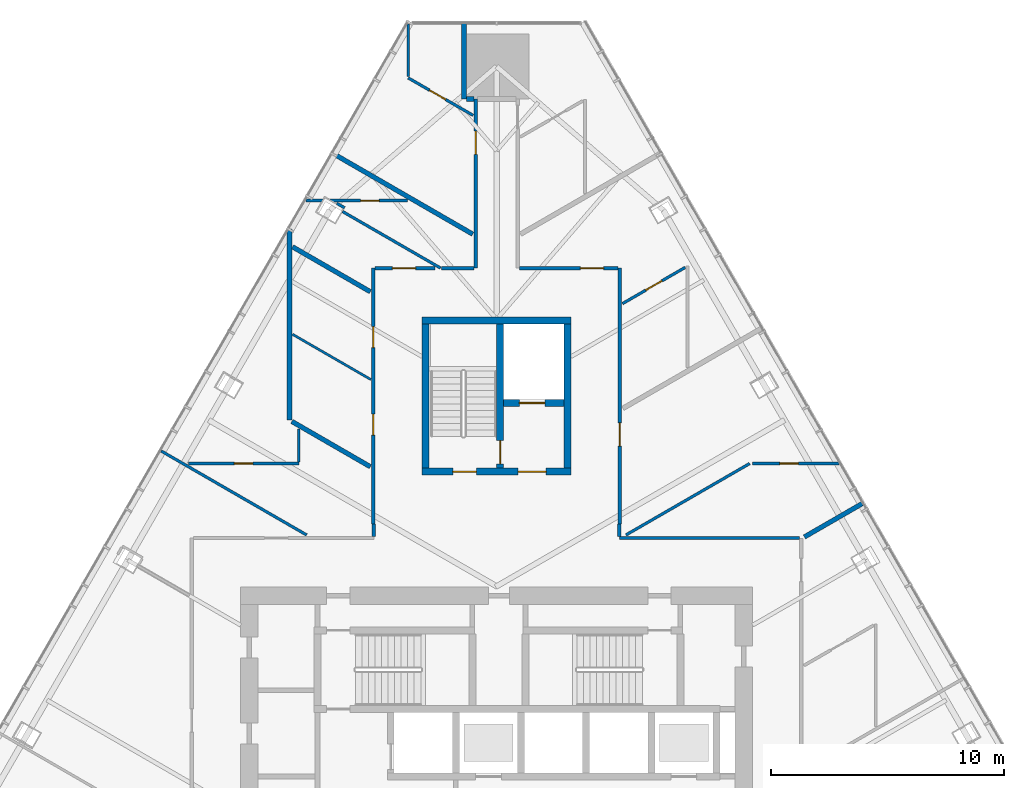
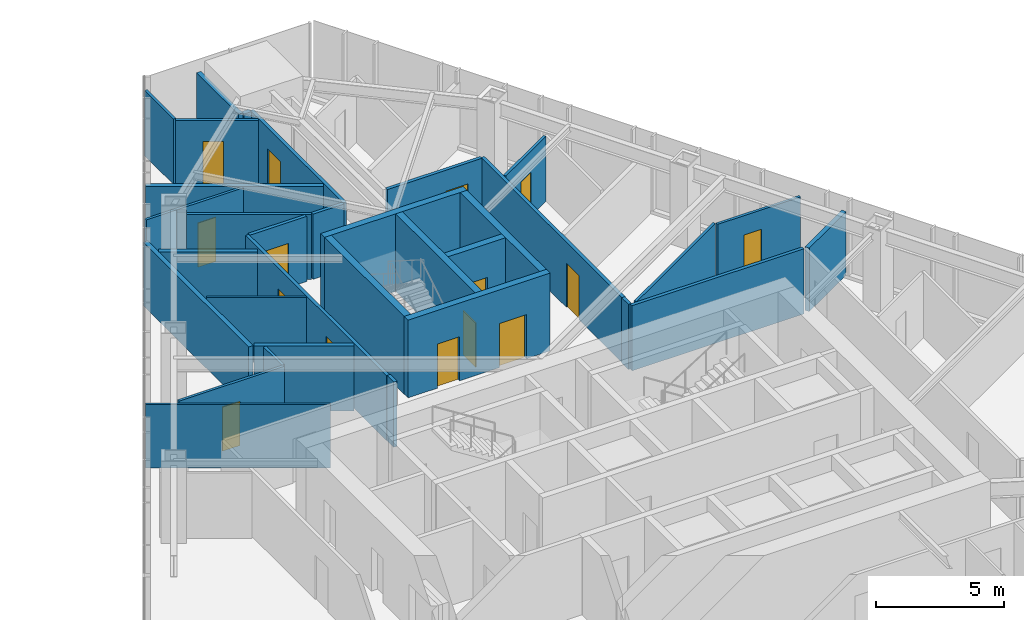
# One storey, part 19 of 24: 34 walls, 15 doors, 15 openings.
"""IFC4 building model written with IfcOpenShell, lengths in metres."""

from ifc_helpers import new_model, si_unit, direction, frame, frame_2d, origin, place, context, subcontext, project, spatial, rectangle, extrude, material, layer, layer_set, type_object, element, fill, save


model = new_model("IFC4")

# Units and contexts
model_context = context("Model", 3, precision=1e-05, world=origin(), true_north=direction((0.0, 1.0)))
body_context = subcontext(model_context, "Body", "Model", "MODEL_VIEW")
ifc_project = project(units=[si_unit("LENGTHUNIT", "METRE"), si_unit("AREAUNIT", "SQUARE_METRE"), si_unit("VOLUMEUNIT", "CUBIC_METRE"), si_unit("PLANEANGLEUNIT", "RADIAN"), si_unit("MASSUNIT", "GRAM", prefix="KILO")], contexts=[model_context])

# Site, building, storey
site_placement = place(None, origin())
site = spatial("IfcSite", under=ifc_project, at=site_placement, CompositionType="ELEMENT")
building_placement = place(site_placement, origin())
building = spatial("IfcBuilding", under=site, at=building_placement, Name="Firuza Gate Tower and Library", CompositionType="ELEMENT")
storey_placement = place(building_placement, frame((0.0, 0.0, 194.800048828125)))
storey = spatial("IfcBuildingStorey", under=building, at=storey_placement, Name="L45", CompositionType="ELEMENT", Elevation=194.800048828125)

# Wall, openings, doors
ifc_material_1 = material(Name="Concrete C80/95", Category="concrete")
ifc_layer_1 = layer(ifc_material_1, 0.300048828125)
ifc_layer_set_1 = layer_set([ifc_layer_1], Name="Core wall 300 C80/95")
wall_type_1 = type_object("IfcWallType", Name="Core wall 300 C80/95", PredefinedType="SHEAR", material=ifc_layer_set_1)
wall_1_placement = place(storey_placement, frame((71.800048828125, 87.949951171875, 0.0), z_axis=(0.0, 0.0, 1.0), x_axis=(1.0, 0.0, 0.0)))
wall_1 = element("IfcWall", 1, at=wall_1_placement, inside=storey, type_object=wall_type_1, Name="Core wall L45 27", PredefinedType="SHEAR", context=body_context, shape_type="SweptSolid", body=[
    extrude(rectangle(XDim=6.39990234375, YDim=0.300048828125, at=frame_2d((3.199951171875, 0.0))), origin(), (0.0, 0.0, 1.0), 3.699951171875),
])
opening_1_placement = place(wall_1_placement, frame((1.324951171875, 0.0, 0.0)))
opening_1 = element("IfcOpeningElement", 2, at=opening_1_placement, cuts=wall_1, Name="Opening L45-K15", PredefinedType="OPENING", context=body_context, shape_type="SweptSolid", body=[
    extrude(rectangle(XDim=1.0, YDim=2.10009765625, at=frame_2d((0.5, 1.050048828125))), frame((0.0, 0.16015625, 0.0), z_axis=(0.0, -1.0, 0.0), x_axis=(1.0, 0.0, 0.0)), (0.0, 0.0, 1.0), 0.320068359375),
])
opening_2_placement = place(wall_1_placement, frame((4.125, 0.0, 0.0)))
opening_2 = element("IfcOpeningElement", 3, at=opening_2_placement, cuts=wall_1, Name="Opening L45-K17", PredefinedType="OPENING", context=body_context, shape_type="SweptSolid", body=[
    extrude(rectangle(XDim=1.199951171875, YDim=2.10009765625, at=frame_2d((0.60009765625, 1.050048828125))), frame((0.0, 0.16015625, 0.0), z_axis=(0.0, -1.0, 0.0), x_axis=(1.0, 0.0, 0.0)), (0.0, 0.0, 1.0), 0.320068359375),
])
ifc_material_2 = material(Name="Steel", Category="steel")
door_type_1 = type_object("IfcDoorType", Name="Fire door 1000x2100 FD90", OperationType="NOTDEFINED", PredefinedType="DOOR", material=ifc_material_2)
door_1_placement = place(opening_1_placement, origin())
door_1 = element("IfcDoor", 4, at=door_1_placement, inside=storey, type_object=door_type_1, Name="Door L45-K15", OperationType="SINGLE_SWING_RIGHT", OverallHeight=2.10009765625, OverallWidth=1.0, PredefinedType="DOOR", context=body_context, shape_type="SweptSolid", body=[
    extrude(rectangle(XDim=1.0, YDim=2.10009765625, at=frame_2d((0.5, 1.050048828125))), frame((0.0, 0.02490234375, 0.0), z_axis=(0.0, -1.0, 0.0), x_axis=(1.0, 0.0, 0.0)), (0.0, 0.0, 1.0), 0.050048828125),
])
fill(opening_1, door_1)
ifc_material_3 = material(Name="Steel", Category="steel")
door_type_2 = type_object("IfcDoorType", Name="Fire door 1200x2100 FD30S", OperationType="NOTDEFINED", PredefinedType="DOOR", material=ifc_material_3)
door_2_placement = place(opening_2_placement, origin())
door_2 = element("IfcDoor", 5, at=door_2_placement, inside=storey, type_object=door_type_2, Name="Door L45-K17", OperationType="SINGLE_SWING_RIGHT", OverallHeight=2.10009765625, OverallWidth=1.199951171875, PredefinedType="DOOR", context=body_context, shape_type="SweptSolid", body=[
    extrude(rectangle(XDim=1.199951171875, YDim=2.10009765625, at=frame_2d((0.60009765625, 1.050048828125))), frame((0.0, 0.02490234375, 0.0), z_axis=(0.0, -1.0, 0.0), x_axis=(1.0, 0.0, 0.0)), (0.0, 0.0, 1.0), 0.050048828125),
])
fill(opening_2, door_2)

# Walls
wall_2_placement = place(storey_placement, frame((71.800048828125, 94.449951171875, 0.0), z_axis=(0.0, 0.0, 1.0), x_axis=(1.0, 0.0, 0.0)))
element("IfcWall", 6, at=wall_2_placement, inside=storey, type_object=wall_type_1, Name="Core wall L45 28", PredefinedType="SHEAR", context=body_context, shape_type="SweptSolid", body=[
    extrude(rectangle(XDim=6.39990234375, YDim=0.300048828125, at=frame_2d((3.199951171875, 0.0))), origin(), (0.0, 0.0, 1.0), 3.699951171875),
])
for number, where, z_axis, x_axis, name in (
    (7, (71.949951171875, 88.10009765625, 0.0), (0.0, 0.0, 1.0), (0.0, 1.0, 0.0), "Core wall L45 29"),
    (8, (78.050048828125, 88.10009765625, 0.0), (0.0, 0.0, 1.0), (0.0, 1.0, 0.0), "Core wall L45 30"),
):
    element("IfcWall", number, at=place(storey_placement, frame(where, z_axis=z_axis, x_axis=x_axis)), inside=storey, type_object=wall_type_1, Name=name, PredefinedType="SHEAR", context=body_context, shape_type="SweptSolid", body=[
        extrude(rectangle(XDim=6.199951171875, YDim=0.300048828125, at=frame_2d((3.10009765625, 0.0))), origin(), (0.0, 0.0, 1.0), 3.699951171875),
    ])

# Wall, opening, door
wall_3_placement = place(storey_placement, frame((75.300048828125, 90.89990234375, 0.0), z_axis=(0.0, 0.0, 1.0), x_axis=(1.0, 0.0, 0.0)))
wall_3 = element("IfcWall", 9, at=wall_3_placement, inside=storey, type_object=wall_type_1, Name="Core wall L45 31", PredefinedType="SHEAR", context=body_context, shape_type="SweptSolid", body=[
    extrude(rectangle(XDim=2.599853515625, YDim=0.300048828125, at=frame_2d((1.2998046875, 0.0))), origin(), (0.0, 0.0, 1.0), 3.699951171875),
])
opening_3_placement = place(wall_3_placement, frame((0.675048828125, 0.0, 0.0)))
opening_3 = element("IfcOpeningElement", 10, at=opening_3_placement, cuts=wall_3, Name="Opening LD-SV1-L45", PredefinedType="OPENING", context=body_context, shape_type="SweptSolid", body=[
    extrude(rectangle(XDim=1.10009765625, YDim=2.10009765625, at=frame_2d((0.550048828125, 1.050048828125))), frame((0.0, 0.16015625, 0.0), z_axis=(0.0, -1.0, 0.0), x_axis=(1.0, 0.0, 0.0)), (0.0, 0.0, 1.0), 0.320068359375),
])
ifc_material_4 = material(Name="Stainless steel", Category="steel")
door_type_3 = type_object("IfcDoorType", Name="Lift landing door 1100x2100", OperationType="DOUBLE_DOOR_SLIDING", PredefinedType="DOOR", material=ifc_material_4)
door_3_placement = place(opening_3_placement, origin())
door_3 = element("IfcDoor", 11, at=door_3_placement, inside=storey, type_object=door_type_3, Name="Landing door SV1 L45", OperationType="DOUBLE_DOOR_SLIDING", OverallHeight=2.10009765625, OverallWidth=1.10009765625, PredefinedType="DOOR", context=body_context, shape_type="SweptSolid", body=[
    extrude(rectangle(XDim=1.10009765625, YDim=2.10009765625, at=frame_2d((0.550048828125, 1.050048828125))), frame((0.0, 0.02490234375, 0.0), z_axis=(0.0, -1.0, 0.0), x_axis=(1.0, 0.0, 0.0)), (0.0, 0.0, 1.0), 0.050048828125),
])
fill(opening_3, door_3)

wall_4_placement = place(storey_placement, frame((75.14990234375, 88.10009765625, 0.0), z_axis=(0.0, 0.0, 1.0), x_axis=(0.0, 1.0, 0.0)))
wall_4 = element("IfcWall", 12, at=wall_4_placement, inside=storey, type_object=wall_type_1, Name="Core wall L45 32", PredefinedType="SHEAR", context=body_context, shape_type="SweptSolid", body=[
    extrude(rectangle(XDim=6.199951171875, YDim=0.300048828125, at=frame_2d((3.10009765625, 0.0))), origin(), (0.0, 0.0, 1.0), 3.699951171875),
])
opening_4_placement = place(wall_4_placement, frame((0.18505859375, 0.0, 0.0)))
opening_4 = element("IfcOpeningElement", 13, at=opening_4_placement, cuts=wall_4, Name="Opening L45-K16", PredefinedType="OPENING", context=body_context, shape_type="SweptSolid", body=[
    extrude(rectangle(XDim=1.0, YDim=2.10009765625, at=frame_2d((0.5, 1.050048828125))), frame((0.0, 0.16015625, 0.0), z_axis=(0.0, -1.0, 0.0), x_axis=(1.0, 0.0, 0.0)), (0.0, 0.0, 1.0), 0.320068359375),
])
door_4_placement = place(opening_4_placement, origin())
door_4 = element("IfcDoor", 14, at=door_4_placement, inside=storey, type_object=door_type_1, Name="Door L45-K16", OperationType="SINGLE_SWING_LEFT", OverallHeight=2.10009765625, OverallWidth=1.0, PredefinedType="DOOR", context=body_context, shape_type="SweptSolid", body=[
    extrude(rectangle(XDim=1.0, YDim=2.10009765625, at=frame_2d((0.5, 1.050048828125))), frame((0.0, 0.02490234375, 0.0), z_axis=(0.0, -1.0, 0.0), x_axis=(1.0, 0.0, 0.0)), (0.0, 0.0, 1.0), 0.050048828125),
])
fill(opening_4, door_4)

# Wall
ifc_material_5 = material(Name="Gypsum board partition")
ifc_layer_2 = layer(ifc_material_5, 0.14990234375)
ifc_layer_set_2 = layer_set([ifc_layer_2], Name="Corridor wall 150 double board on steel studs")
wall_type_2 = type_object("IfcWallType", Name="Corridor wall 150 double board on steel studs", PredefinedType="PARTITIONING", material=ifc_layer_set_2)
wall_5_placement = place(storey_placement, frame((80.280517578125, 85.10009765625, 0.0), z_axis=(0.0, 0.0, 1.0), x_axis=(1.0, 0.0, 0.0)))
element("IfcWall", 15, at=wall_5_placement, inside=storey, type_object=wall_type_2, Name="f:L45:w006", PredefinedType="PARTITIONING", context=body_context, shape_type="SweptSolid", body=[
    extrude(rectangle(XDim=7.744384765625, YDim=0.14990234375, at=frame_2d((3.8720703125, 0.0))), origin(), (0.0, 0.0, 1.0), 3.099853515625),
])

# Wall, opening, door
wall_6_placement = place(storey_placement, frame((69.775390625, 96.699951171875, 0.0), z_axis=(0.0, 0.0, 1.0), x_axis=(1.0, 0.0, 0.0)))
wall_6 = element("IfcWall", 16, at=wall_6_placement, inside=storey, type_object=wall_type_2, Name="f:L45:w009", PredefinedType="PARTITIONING", context=body_context, shape_type="SweptSolid", body=[
    extrude(rectangle(XDim=2.5673828125, YDim=0.14990234375, at=frame_2d((1.28369140625, 0.0))), origin(), (0.0, 0.0, 1.0), 3.099853515625),
])
opening_5_placement = place(wall_6_placement, frame((0.7421875, 0.0, 0.0)))
opening_5 = element("IfcOpeningElement", 17, at=opening_5_placement, cuts=wall_6, Name="Opening L45-09", PredefinedType="OPENING", context=body_context, shape_type="SweptSolid", body=[
    extrude(rectangle(XDim=1.0, YDim=2.10009765625, at=frame_2d((0.5, 1.050048828125))), frame((0.0, 0.0849609375, 0.0), z_axis=(0.0, -1.0, 0.0), x_axis=(1.0, 0.0, 0.0)), (0.0, 0.0, 1.0), 0.169921875),
])
ifc_material_6 = material(Name="Steel door and timber leaf", Category="steel")
door_type_4 = type_object("IfcDoorType", Name="Fire door 1000 x 2100 steel frame, timber leaf", OperationType="NOTDEFINED", PredefinedType="DOOR", material=ifc_material_6)
door_5_placement = place(opening_5_placement, origin())
door_5 = element("IfcDoor", 18, at=door_5_placement, inside=storey, type_object=door_type_4, Name="f:L45:d009", OperationType="SINGLE_SWING_LEFT", OverallHeight=2.10009765625, OverallWidth=1.0, PredefinedType="DOOR", context=body_context, shape_type="SweptSolid", body=[
    extrude(rectangle(XDim=1.0, YDim=2.10009765625, at=frame_2d((0.5, 1.050048828125))), frame((0.0, 0.02490234375, 0.0), z_axis=(0.0, -1.0, 0.0), x_axis=(1.0, 0.0, 0.0)), (0.0, 0.0, 1.0), 0.050048828125),
])
fill(opening_5, door_5)

wall_7_placement = place(storey_placement, frame((75.97509765625, 96.699951171875, 0.0), z_axis=(0.0, 0.0, 1.0), x_axis=(1.0, 0.0, 0.0)))
wall_7 = element("IfcWall", 19, at=wall_7_placement, inside=storey, type_object=wall_type_2, Name="f:L45:w010", PredefinedType="PARTITIONING", context=body_context, shape_type="SweptSolid", body=[
    extrude(rectangle(XDim=4.24951171875, YDim=0.14990234375, at=frame_2d((2.124755859375, 0.0))), origin(), (0.0, 0.0, 1.0), 3.099853515625),
])
opening_6_placement = place(wall_7_placement, frame((2.6220703125, 0.0, 0.0)))
opening_6 = element("IfcOpeningElement", 20, at=opening_6_placement, cuts=wall_7, Name="Opening L45-10", PredefinedType="OPENING", context=body_context, shape_type="SweptSolid", body=[
    extrude(rectangle(XDim=1.0, YDim=2.10009765625, at=frame_2d((0.5, 1.050048828125))), frame((0.0, 0.0849609375, 0.0), z_axis=(0.0, -1.0, 0.0), x_axis=(1.0, 0.0, 0.0)), (0.0, 0.0, 1.0), 0.169921875),
])
door_6_placement = place(opening_6_placement, origin())
door_6 = element("IfcDoor", 21, at=door_6_placement, inside=storey, type_object=door_type_4, Name="f:L45:d010", OperationType="SINGLE_SWING_LEFT", OverallHeight=2.10009765625, OverallWidth=1.0, PredefinedType="DOOR", context=body_context, shape_type="SweptSolid", body=[
    extrude(rectangle(XDim=1.0, YDim=2.10009765625, at=frame_2d((0.5, 1.050048828125))), frame((0.0, 0.02490234375, 0.0), z_axis=(0.0, -1.0, 0.0), x_axis=(1.0, 0.0, 0.0)), (0.0, 0.0, 1.0), 0.050048828125),
])
fill(opening_6, door_6)

wall_8_placement = place(storey_placement, frame((80.300048828125, 96.699462890625, 0.0), z_axis=(0.0, 0.0, 1.0), x_axis=(0.0, -1.0, 0.0)))
wall_8 = element("IfcWall", 22, at=wall_8_placement, inside=storey, type_object=wall_type_2, Name="f:L45:w042", PredefinedType="PARTITIONING", context=body_context, shape_type="SweptSolid", body=[
    extrude(rectangle(XDim=10.9990234375, YDim=0.14990234375, at=frame_2d((5.49951171875, 0.0))), origin(), (0.0, 0.0, 1.0), 3.096923828125),
])
opening_7_placement = place(wall_8_placement, frame((6.654296875, 0.0, 0.0)))
opening_7 = element("IfcOpeningElement", 23, at=opening_7_placement, cuts=wall_8, Name="Opening L45-23", PredefinedType="OPENING", context=body_context, shape_type="SweptSolid", body=[
    extrude(rectangle(XDim=1.0, YDim=2.10009765625, at=frame_2d((0.5, 1.050048828125))), frame((0.0, 0.0849609375, 0.0), z_axis=(0.0, -1.0, 0.0), x_axis=(1.0, 0.0, 0.0)), (0.0, 0.0, 1.0), 0.169921875),
])
door_7_placement = place(opening_7_placement, origin())
door_7 = element("IfcDoor", 24, at=door_7_placement, inside=storey, type_object=door_type_4, Name="f:L45:d023", OperationType="SINGLE_SWING_RIGHT", OverallHeight=2.10009765625, OverallWidth=1.0, PredefinedType="DOOR", context=body_context, shape_type="SweptSolid", body=[
    extrude(rectangle(XDim=1.0, YDim=2.10009765625, at=frame_2d((0.5, 1.050048828125))), frame((0.0, 0.02490234375, 0.0), z_axis=(0.0, -1.0, 0.0), x_axis=(1.0, 0.0, 0.0)), (0.0, 0.0, 1.0), 0.050048828125),
])
fill(opening_7, door_7)

# Wall
wall_9_placement = place(storey_placement, frame((80.281005859375, 85.175048828125, 0.0), z_axis=(0.0, 0.0, 1.0), x_axis=(0.0, 1.0, 0.0)))
element("IfcWall", 25, at=wall_9_placement, inside=storey, type_object=wall_type_2, Name="f:L45:w043", PredefinedType="PARTITIONING", context=body_context, shape_type="SweptSolid", body=[
    extrude(rectangle(XDim=0.52490234375, YDim=0.14990234375, at=frame_2d((0.262451171875, 0.0))), origin(), (0.0, 0.0, 1.0), 3.099853515625),
])

# Wall, opening, door
wall_10_placement = place(storey_placement, frame((74.10009765625, 96.699951171875, 0.0), z_axis=(0.0, 0.0, 1.0), x_axis=(0.0, 1.0, 0.0)))
wall_10 = element("IfcWall", 26, at=wall_10_placement, inside=storey, type_object=wall_type_2, Name="f:L45:w048", PredefinedType="PARTITIONING", context=body_context, shape_type="SweptSolid", body=[
    extrude(rectangle(XDim=7.266845703125, YDim=0.14990234375, at=frame_2d((3.63330078125, 0.0))), origin(), (0.0, 0.0, 1.0), 3.099853515625),
])
opening_8_placement = place(wall_10_placement, frame((4.886474609375, 0.0, 0.0)))
opening_8 = element("IfcOpeningElement", 27, at=opening_8_placement, cuts=wall_10, Name="Opening L45-25", PredefinedType="OPENING", context=body_context, shape_type="SweptSolid", body=[
    extrude(rectangle(XDim=1.0, YDim=2.10009765625, at=frame_2d((0.5, 1.050048828125))), frame((0.0, 0.0849609375, 0.0), z_axis=(0.0, -1.0, 0.0), x_axis=(1.0, 0.0, 0.0)), (0.0, 0.0, 1.0), 0.169921875),
])
door_8_placement = place(opening_8_placement, origin())
door_8 = element("IfcDoor", 28, at=door_8_placement, inside=storey, type_object=door_type_4, Name="f:L45:d025", OperationType="SINGLE_SWING_LEFT", OverallHeight=2.10009765625, OverallWidth=1.0, PredefinedType="DOOR", context=body_context, shape_type="SweptSolid", body=[
    extrude(rectangle(XDim=1.0, YDim=2.10009765625, at=frame_2d((0.5, 1.050048828125))), frame((0.0, 0.02490234375, 0.0), z_axis=(0.0, -1.0, 0.0), x_axis=(1.0, 0.0, 0.0)), (0.0, 0.0, 1.0), 0.050048828125),
])
fill(opening_8, door_8)

# Wall
wall_11_placement = place(storey_placement, frame((69.718994140625, 85.175048828125, 0.0), z_axis=(0.0, 0.0, 1.0), x_axis=(0.0, 1.0, 0.0)))
element("IfcWall", 29, at=wall_11_placement, inside=storey, type_object=wall_type_2, Name="f:L45:w051", PredefinedType="PARTITIONING", context=body_context, shape_type="SweptSolid", body=[
    extrude(rectangle(XDim=0.52490234375, YDim=0.14990234375, at=frame_2d((0.262451171875, 0.0))), origin(), (0.0, 0.0, 1.0), 3.099853515625),
])

# Wall, openings, doors
wall_12_placement = place(storey_placement, frame((69.699951171875, 85.700439453125, 0.0), z_axis=(0.0, 0.0, 1.0), x_axis=(0.0, 1.0, 0.0)))
wall_12 = element("IfcWall", 30, at=wall_12_placement, inside=storey, type_object=wall_type_2, Name="f:L45:w052", PredefinedType="PARTITIONING", context=body_context, shape_type="SweptSolid", body=[
    extrude(rectangle(XDim=10.9990234375, YDim=0.14990234375, at=frame_2d((5.49951171875, 0.0))), origin(), (0.0, 0.0, 1.0), 3.096923828125),
])
opening_9_placement = place(wall_12_placement, frame((3.819580078125, 0.0, 0.0)))
opening_9 = element("IfcOpeningElement", 31, at=opening_9_placement, cuts=wall_12, Name="Opening L45-26", PredefinedType="OPENING", context=body_context, shape_type="SweptSolid", body=[
    extrude(rectangle(XDim=0.89990234375, YDim=2.10009765625, at=frame_2d((0.449951171875, 1.050048828125))), frame((0.0, 0.0849609375, 0.0), z_axis=(0.0, -1.0, 0.0), x_axis=(1.0, 0.0, 0.0)), (0.0, 0.0, 1.0), 0.169921875),
])
opening_10_placement = place(wall_12_placement, frame((7.580810546875, 0.0, 0.0)))
opening_10 = element("IfcOpeningElement", 32, at=opening_10_placement, cuts=wall_12, Name="Opening L45-27", PredefinedType="OPENING", context=body_context, shape_type="SweptSolid", body=[
    extrude(rectangle(XDim=0.89990234375, YDim=2.10009765625, at=frame_2d((0.449951171875, 1.050048828125))), frame((0.0, 0.0849609375, 0.0), z_axis=(0.0, -1.0, 0.0), x_axis=(1.0, 0.0, 0.0)), (0.0, 0.0, 1.0), 0.169921875),
])
ifc_material_7 = material(Name="Steel door and timber leaf", Category="steel")
door_type_5 = type_object("IfcDoorType", Name="Fire door 900 x 2100 steel frame, timber leaf", OperationType="NOTDEFINED", PredefinedType="DOOR", material=ifc_material_7)
door_9_placement = place(opening_9_placement, origin())
door_9 = element("IfcDoor", 33, at=door_9_placement, inside=storey, type_object=door_type_5, Name="f:L45:d026", OperationType="SINGLE_SWING_RIGHT", OverallHeight=2.10009765625, OverallWidth=0.89990234375, PredefinedType="DOOR", context=body_context, shape_type="SweptSolid", body=[
    extrude(rectangle(XDim=0.89990234375, YDim=2.10009765625, at=frame_2d((0.449951171875, 1.050048828125))), frame((0.0, 0.02490234375, 0.0), z_axis=(0.0, -1.0, 0.0), x_axis=(1.0, 0.0, 0.0)), (0.0, 0.0, 1.0), 0.050048828125),
])
fill(opening_9, door_9)
door_10_placement = place(opening_10_placement, origin())
door_10 = element("IfcDoor", 34, at=door_10_placement, inside=storey, type_object=door_type_5, Name="f:L45:d027", OperationType="SINGLE_SWING_LEFT", OverallHeight=2.10009765625, OverallWidth=0.89990234375, PredefinedType="DOOR", context=body_context, shape_type="SweptSolid", body=[
    extrude(rectangle(XDim=0.89990234375, YDim=2.10009765625, at=frame_2d((0.449951171875, 1.050048828125))), frame((0.0, 0.02490234375, 0.0), z_axis=(0.0, -1.0, 0.0), x_axis=(1.0, 0.0, 0.0)), (0.0, 0.0, 1.0), 0.050048828125),
])
fill(opening_10, door_10)

# Walls
wall_13_placement = place(storey_placement, frame((72.6220703125, 96.699951171875, 0.0), z_axis=(0.0, 0.0, 1.0), x_axis=(1.0, 0.0, 0.0)))
element("IfcWall", 35, at=wall_13_placement, inside=storey, type_object=wall_type_2, Name="f:L45:w080", PredefinedType="PARTITIONING", context=body_context, shape_type="SweptSolid", body=[
    extrude(rectangle(XDim=1.40283203125, YDim=0.14990234375, at=frame_2d((0.701416015625, 0.0))), origin(), (0.0, 0.0, 1.0), 3.099853515625),
])
ifc_material_8 = material(Name="Gypsum board partition")
ifc_layer_3 = layer(ifc_material_8, 0.199951171875)
ifc_layer_set_3 = layer_set([ifc_layer_3], Name="Demising wall 200 acoustic double stud")
wall_type_3 = type_object("IfcWallType", Name="Demising wall 200 acoustic double stud", PredefinedType="PARTITIONING", material=ifc_layer_set_3)
wall_14_placement = place(storey_placement, frame((73.700439453125, 103.967041015625, 0.0), z_axis=(0.0, 0.0, 1.0), x_axis=(1.0, 0.0, 0.0)))
element("IfcWall", 36, at=wall_14_placement, inside=storey, type_object=wall_type_3, Name="f:L45:w012", PredefinedType="PARTITIONING", context=body_context, shape_type="SweptSolid", body=[
    extrude(rectangle(XDim=0.324462890625, YDim=0.199951171875, at=frame_2d((0.162109375, 0.0))), origin(), (0.0, 0.0, 1.0), 3.099853515625),
])
wall_15_placement = place(storey_placement, frame((88.22998046875, 85.145263671875, 0.0), z_axis=(0.0, 0.0, 1.0), x_axis=(0.866015650984, 0.500016891966, 0.0)))
element("IfcWall", 37, at=wall_15_placement, inside=storey, type_object=wall_type_3, Name="f:L45:w022", PredefinedType="PARTITIONING", context=body_context, shape_type="SweptSolid", body=[
    extrude(rectangle(XDim=2.87109375, YDim=0.199951171875, at=frame_2d((1.435546875, 0.0))), origin(), (0.0, 0.0, 1.0), 3.02197265625),
])
wall_16_placement = place(storey_placement, frame((73.60009765625, 103.96728515625, 0.0), z_axis=(0.0, 0.0, 1.0), x_axis=(0.0, 1.0, 0.0)))
element("IfcWall", 38, at=wall_16_placement, inside=storey, type_object=wall_type_3, Name="f:L45:w049", PredefinedType="PARTITIONING", context=body_context, shape_type="SweptSolid", body=[
    extrude(rectangle(XDim=3.259521484375, YDim=0.199951171875, at=frame_2d((1.6298828125, 0.0))), origin(), (0.0, 0.0, 1.0), 3.099853515625),
])
wall_17_placement = place(storey_placement, frame((66.10009765625, 90.168701171875, 0.0), z_axis=(0.0, 0.0, 1.0), x_axis=(0.0, 1.0, 0.0)))
element("IfcWall", 39, at=wall_17_placement, inside=storey, type_object=wall_type_3, Name="f:L45:w054", PredefinedType="PARTITIONING", context=body_context, shape_type="SweptSolid", body=[
    extrude(rectangle(XDim=8.21826171875, YDim=0.199951171875, at=frame_2d((4.109130859375, 0.0))), origin(), (0.0, 0.0, 1.0), 3.02197265625),
])
wall_18_placement = place(storey_placement, frame((73.97314453125, 98.159423828125, 0.0), z_axis=(0.0, 0.0, 1.0), x_axis=(-0.866026061359, 0.499998861046, 0.0)))
element("IfcWall", 40, at=wall_18_placement, inside=storey, type_object=wall_type_3, Name="f:L45:w061", PredefinedType="PARTITIONING", context=body_context, shape_type="SweptSolid", body=[
    extrude(rectangle(XDim=6.93212890625, YDim=0.199951171875, at=frame_2d((3.466064453125, 0.0))), origin(), (0.0, 0.0, 1.0), 3.099853515625),
])
wall_19_placement = place(storey_placement, frame((69.572998046875, 95.684814453125, 0.0), z_axis=(0.0, 0.0, 1.0), x_axis=(-0.8660191159, 0.500010890777, 0.0)))
element("IfcWall", 41, at=wall_19_placement, inside=storey, type_object=wall_type_3, Name="f:L45:w064", PredefinedType="PARTITIONING", context=body_context, shape_type="SweptSolid", body=[
    extrude(rectangle(XDim=3.85888671875, YDim=0.199951171875, at=frame_2d((1.929443359375, 0.0))), origin(), (0.0, 0.0, 1.0), 3.02197265625),
])
wall_20_placement = place(storey_placement, frame((69.5732421875, 88.1630859375, 0.0), z_axis=(0.0, 0.0, 1.0), x_axis=(-0.866043624834, 0.499968438888, 0.0)))
element("IfcWall", 42, at=wall_20_placement, inside=storey, type_object=wall_type_3, Name="f:L45:w066", PredefinedType="PARTITIONING", context=body_context, shape_type="SweptSolid", body=[
    extrude(rectangle(XDim=3.894775390625, YDim=0.199951171875, at=frame_2d((1.947265625, 0.0))), origin(), (0.0, 0.0, 1.0), 3.099853515625),
])
ifc_material_9 = material(Name="Gypsum board partition")
ifc_layer_4 = layer(ifc_material_9, 0.10009765625)
ifc_layer_set_4 = layer_set([ifc_layer_4], Name="Partition 100 gypsum board on steel studs")
wall_type_4 = type_object("IfcWallType", Name="Partition 100 gypsum board on steel studs", PredefinedType="PARTITIONING", material=ifc_layer_set_4)
wall_21_placement = place(storey_placement, frame((69.59912109375, 91.908935546875, 0.0), z_axis=(0.0, 0.0, 1.0), x_axis=(-0.866016482536, 0.500015451737, 0.0)))
element("IfcWall", 43, at=wall_21_placement, inside=storey, type_object=wall_type_4, Name="f:L45:w065", PredefinedType="PARTITIONING", context=body_context, shape_type="SweptSolid", body=[
    extrude(rectangle(XDim=3.89501953125, YDim=0.10009765625, at=frame_2d((1.947509765625, 0.0))), origin(), (0.0, 0.0, 1.0), 3.099853515625),
])

# Wall, opening, door
ifc_material_10 = material(Name="Gypsum board partition")
ifc_layer_5 = layer(ifc_material_10, 0.1201171875)
ifc_layer_set_5 = layer_set([ifc_layer_5], Name="Wet-area partition 120 moisture-resistant board")
wall_type_5 = type_object("IfcWallType", Name="Wet-area partition 120 moisture-resistant board", PredefinedType="PARTITIONING", material=ifc_layer_set_5)
wall_22_placement = place(storey_placement, frame((66.49951171875, 88.300048828125, 0.0), z_axis=(0.0, 0.0, 1.0), x_axis=(-1.0, 0.0, 0.0)))
wall_22 = element("IfcWall", 44, at=wall_22_placement, inside=storey, type_object=wall_type_5, Name="f:L45:w007", PredefinedType="PARTITIONING", context=body_context, shape_type="SweptSolid", body=[
    extrude(rectangle(XDim=4.75146484375, YDim=0.1201171875, at=frame_2d((2.375732421875, 0.0))), origin(), (0.0, 0.0, 1.0), 3.096923828125),
])
opening_11_placement = place(wall_22_placement, frame((1.9755859375, 0.0, 0.0)))
opening_11 = element("IfcOpeningElement", 45, at=opening_11_placement, cuts=wall_22, Name="Opening L45-07", PredefinedType="OPENING", context=body_context, shape_type="SweptSolid", body=[
    extrude(rectangle(XDim=0.800048828125, YDim=2.10009765625, at=frame_2d((0.39990234375, 1.050048828125))), frame((0.0, 0.070068359375, 0.0), z_axis=(0.0, -1.0, 0.0), x_axis=(1.0, 0.0, 0.0)), (0.0, 0.0, 1.0), 0.14013671875),
])
ifc_material_11 = material(Name="Timber door", Category="wood")
door_type_6 = type_object("IfcDoorType", Name="Door 800 x 2100 timber leaf", OperationType="NOTDEFINED", PredefinedType="DOOR", material=ifc_material_11)
door_11_placement = place(opening_11_placement, origin())
door_11 = element("IfcDoor", 46, at=door_11_placement, inside=storey, type_object=door_type_6, Name="f:L45:d007", OperationType="SINGLE_SWING_LEFT", OverallHeight=2.10009765625, OverallWidth=0.800048828125, PredefinedType="DOOR", context=body_context, shape_type="SweptSolid", body=[
    extrude(rectangle(XDim=0.800048828125, YDim=2.10009765625, at=frame_2d((0.39990234375, 1.050048828125))), frame((0.0, 0.02490234375, 0.0), z_axis=(0.0, -1.0, 0.0), x_axis=(1.0, 0.0, 0.0)), (0.0, 0.0, 1.0), 0.050048828125),
])
fill(opening_11, door_11)

wall_23_placement = place(storey_placement, frame((89.7236328125, 88.300048828125, 0.0), z_axis=(0.0, 0.0, 1.0), x_axis=(-1.0, 0.0, 0.0)))
wall_23 = element("IfcWall", 47, at=wall_23_placement, inside=storey, type_object=wall_type_5, Name="f:L45:w008", PredefinedType="PARTITIONING", context=body_context, shape_type="SweptSolid", body=[
    extrude(rectangle(XDim=3.7275390625, YDim=0.1201171875, at=frame_2d((1.86376953125, 0.0))), origin(), (0.0, 0.0, 1.0), 3.02197265625),
])
opening_12_placement = place(wall_23_placement, frame((1.75244140625, 0.0, 0.0)))
opening_12 = element("IfcOpeningElement", 48, at=opening_12_placement, cuts=wall_23, Name="Opening L45-08", PredefinedType="OPENING", context=body_context, shape_type="SweptSolid", body=[
    extrude(rectangle(XDim=0.800048828125, YDim=2.10009765625, at=frame_2d((0.39990234375, 1.050048828125))), frame((0.0, 0.070068359375, 0.0), z_axis=(0.0, -1.0, 0.0), x_axis=(1.0, 0.0, 0.0)), (0.0, 0.0, 1.0), 0.14013671875),
])
door_12_placement = place(opening_12_placement, origin())
door_12 = element("IfcDoor", 49, at=door_12_placement, inside=storey, type_object=door_type_6, Name="f:L45:d008", OperationType="SINGLE_SWING_LEFT", OverallHeight=2.10009765625, OverallWidth=0.800048828125, PredefinedType="DOOR", context=body_context, shape_type="SweptSolid", body=[
    extrude(rectangle(XDim=0.800048828125, YDim=2.10009765625, at=frame_2d((0.39990234375, 1.050048828125))), frame((0.0, 0.02490234375, 0.0), z_axis=(0.0, -1.0, 0.0), x_axis=(1.0, 0.0, 0.0)), (0.0, 0.0, 1.0), 0.050048828125),
])
fill(opening_12, door_12)

wall_24_placement = place(storey_placement, frame((71.169921875, 99.60009765625, 0.0), z_axis=(0.0, 0.0, 1.0), x_axis=(-1.0, 0.0, 0.0)))
wall_24 = element("IfcWall", 50, at=wall_24_placement, inside=storey, type_object=wall_type_5, Name="f:L45:w011", PredefinedType="PARTITIONING", context=body_context, shape_type="SweptSolid", body=[
    extrude(rectangle(XDim=4.36962890625, YDim=0.1201171875, at=frame_2d((2.184814453125, 0.0))), origin(), (0.0, 0.0, 1.0), 3.099853515625),
])
opening_13_placement = place(wall_24_placement, frame((1.2177734375, 0.0, 0.0)))
opening_13 = element("IfcOpeningElement", 51, at=opening_13_placement, cuts=wall_24, Name="Opening L45-11", PredefinedType="OPENING", context=body_context, shape_type="SweptSolid", body=[
    extrude(rectangle(XDim=0.800048828125, YDim=2.10009765625, at=frame_2d((0.39990234375, 1.050048828125))), frame((0.0, 0.070068359375, 0.0), z_axis=(0.0, -1.0, 0.0), x_axis=(1.0, 0.0, 0.0)), (0.0, 0.0, 1.0), 0.14013671875),
])
door_13_placement = place(opening_13_placement, origin())
door_13 = element("IfcDoor", 52, at=door_13_placement, inside=storey, type_object=door_type_6, Name="f:L45:d011", OperationType="SINGLE_SWING_LEFT", OverallHeight=2.10009765625, OverallWidth=0.800048828125, PredefinedType="DOOR", context=body_context, shape_type="SweptSolid", body=[
    extrude(rectangle(XDim=0.800048828125, YDim=2.10009765625, at=frame_2d((0.39990234375, 1.050048828125))), frame((0.0, 0.02490234375, 0.0), z_axis=(0.0, -1.0, 0.0), x_axis=(1.0, 0.0, 0.0)), (0.0, 0.0, 1.0), 0.050048828125),
])
fill(opening_13, door_13)

# Wall
wall_25_placement = place(storey_placement, frame((80.558837890625, 85.22998046875, 0.0), z_axis=(0.0, 0.0, 1.0), x_axis=(0.866020046725, 0.500009278584, 0.0)))
element("IfcWall", 53, at=wall_25_placement, inside=storey, type_object=wall_type_5, Name="f:L45:w023", PredefinedType="PARTITIONING", context=body_context, shape_type="SweptSolid", body=[
    extrude(rectangle(XDim=6.14013671875, YDim=0.1201171875, at=frame_2d((3.070068359375, 0.0))), origin(), (0.0, 0.0, 1.0), 3.099853515625),
])

# Wall, opening, door
wall_26_placement = place(storey_placement, frame((83.105224609375, 96.72998046875, 0.0), z_axis=(0.0, 0.0, 1.0), x_axis=(-0.866028856698, -0.499994019331, 0.0)))
wall_26 = element("IfcWall", 54, at=wall_26_placement, inside=storey, type_object=wall_type_5, Name="f:L45:w025", PredefinedType="PARTITIONING", context=body_context, shape_type="SweptSolid", body=[
    extrude(rectangle(XDim=3.11279296875, YDim=0.1201171875, at=frame_2d((1.556396484375, 0.0))), origin(), (0.0, 0.0, 1.0), 3.099853515625),
])
opening_14_placement = place(wall_26_placement, frame((1.156494140625, 0.0, 0.0)))
opening_14 = element("IfcOpeningElement", 55, at=opening_14_placement, cuts=wall_26, Name="Opening L45-18", PredefinedType="OPENING", context=body_context, shape_type="SweptSolid", body=[
    extrude(rectangle(XDim=0.800048828125, YDim=2.10009765625, at=frame_2d((0.39990234375, 1.050048828125))), frame((0.0, 0.070068359375, 0.0), z_axis=(0.0, -1.0, 0.0), x_axis=(1.0, 0.0, 0.0)), (0.0, 0.0, 1.0), 0.14013671875),
])
door_14_placement = place(opening_14_placement, origin())
door_14 = element("IfcDoor", 56, at=door_14_placement, inside=storey, type_object=door_type_6, Name="f:L45:d018", OperationType="SINGLE_SWING_LEFT", OverallHeight=2.10009765625, OverallWidth=0.800048828125, PredefinedType="DOOR", context=body_context, shape_type="SweptSolid", body=[
    extrude(rectangle(XDim=0.800048828125, YDim=2.10009765625, at=frame_2d((0.39990234375, 1.050048828125))), frame((0.0, 0.02490234375, 0.0), z_axis=(0.0, -1.0, 0.0), x_axis=(1.0, 0.0, 0.0)), (0.0, 0.0, 1.0), 0.050048828125),
])
fill(opening_14, door_14)

# Walls
wall_27_placement = place(storey_placement, frame((71.199951171875, 104.94482421875, 0.0), z_axis=(0.0, 0.0, 1.0), x_axis=(0.0, 1.0, 0.0)))
element("IfcWall", 57, at=wall_27_placement, inside=storey, type_object=wall_type_5, Name="f:L45:w050", PredefinedType="PARTITIONING", context=body_context, shape_type="SweptSolid", body=[
    extrude(rectangle(XDim=2.252197265625, YDim=0.1201171875, at=frame_2d((1.1259765625, 0.0))), origin(), (0.0, 0.0, 1.0), 3.099853515625),
])
wall_28_placement = place(storey_placement, frame((66.5, 88.360595703125, 0.0), z_axis=(0.0, 0.0, 1.0), x_axis=(0.0, 1.0, 0.0)))
element("IfcWall", 58, at=wall_28_placement, inside=storey, type_object=wall_type_5, Name="f:L45:w053", PredefinedType="PARTITIONING", context=body_context, shape_type="SweptSolid", body=[
    extrude(rectangle(XDim=1.4208984375, YDim=0.1201171875, at=frame_2d((0.71044921875, 0.0))), origin(), (0.0, 0.0, 1.0), 3.099853515625),
])

# Wall, opening, door
wall_29_placement = place(storey_placement, frame((71.199951171875, 104.875732421875, 0.0), z_axis=(0.0, 0.0, 1.0), x_axis=(0.866029130051, -0.499993545862, 0.0)))
wall_29 = element("IfcWall", 59, at=wall_29_placement, inside=storey, type_object=wall_type_5, Name="f:L45:w060", PredefinedType="PARTITIONING", context=body_context, shape_type="SweptSolid", body=[
    extrude(rectangle(XDim=3.22216796875, YDim=0.1201171875, at=frame_2d((1.611083984375, 0.0))), origin(), (0.0, 0.0, 1.0), 3.099853515625),
])
opening_15_placement = place(wall_29_placement, frame((1.06103515625, 0.0, 0.0)))
opening_15 = element("IfcOpeningElement", 60, at=opening_15_placement, cuts=wall_29, Name="Opening L45-29", PredefinedType="OPENING", context=body_context, shape_type="SweptSolid", body=[
    extrude(rectangle(XDim=0.800048828125, YDim=2.10009765625, at=frame_2d((0.39990234375, 1.050048828125))), frame((0.0, 0.070068359375, 0.0), z_axis=(0.0, -1.0, 0.0), x_axis=(1.0, 0.0, 0.0)), (0.0, 0.0, 1.0), 0.14013671875),
])
door_15_placement = place(opening_15_placement, origin())
door_15 = element("IfcDoor", 61, at=door_15_placement, inside=storey, type_object=door_type_6, Name="f:L45:d029", OperationType="SINGLE_SWING_LEFT", OverallHeight=2.10009765625, OverallWidth=0.800048828125, PredefinedType="DOOR", context=body_context, shape_type="SweptSolid", body=[
    extrude(rectangle(XDim=0.800048828125, YDim=2.10009765625, at=frame_2d((0.39990234375, 1.050048828125))), frame((0.0, 0.02490234375, 0.0), z_axis=(0.0, -1.0, 0.0), x_axis=(1.0, 0.0, 0.0)), (0.0, 0.0, 1.0), 0.050048828125),
])
fill(opening_15, door_15)

# Walls
wall_30_placement = place(storey_placement, frame((68.46923828125, 99.290771484375, 0.0), z_axis=(0.0, 0.0, 1.0), x_axis=(-0.865986299303, 0.500067724834, 0.0)))
element("IfcWall", 62, at=wall_30_placement, inside=storey, type_object=wall_type_5, Name="f:L45:w062", PredefinedType="PARTITIONING", context=body_context, shape_type="SweptSolid", body=[
    extrude(rectangle(XDim=0.3876953125, YDim=0.1201171875, at=frame_2d((0.19384765625, 0.0))), origin(), (0.0, 0.0, 1.0), 3.099853515625),
])
wall_31_placement = place(storey_placement, frame((72.592041015625, 96.700439453125, 0.0), z_axis=(0.0, 0.0, 1.0), x_axis=(-0.866036013313, 0.499981623307, 0.0)))
element("IfcWall", 63, at=wall_31_placement, inside=storey, type_object=wall_type_5, Name="f:L45:w063", PredefinedType="PARTITIONING", context=body_context, shape_type="SweptSolid", body=[
    extrude(rectangle(XDim=4.865478515625, YDim=0.1201171875, at=frame_2d((2.4326171875, 0.0))), origin(), (0.0, 0.0, 1.0), 3.099853515625),
])
wall_32_placement = place(storey_placement, frame((66.83544921875, 85.22998046875, 0.0), z_axis=(0.0, 0.0, 1.0), x_axis=(-0.866029508188, 0.499992890897, 0.0)))
element("IfcWall", 64, at=wall_32_placement, inside=storey, type_object=wall_type_5, Name="f:L45:w067", PredefinedType="PARTITIONING", context=body_context, shape_type="SweptSolid", body=[
    extrude(rectangle(XDim=7.21533203125, YDim=0.1201171875, at=frame_2d((3.607666015625, 0.0))), origin(), (0.0, 0.0, 1.0), 3.02197265625),
])

save(model, "model.ifc")
